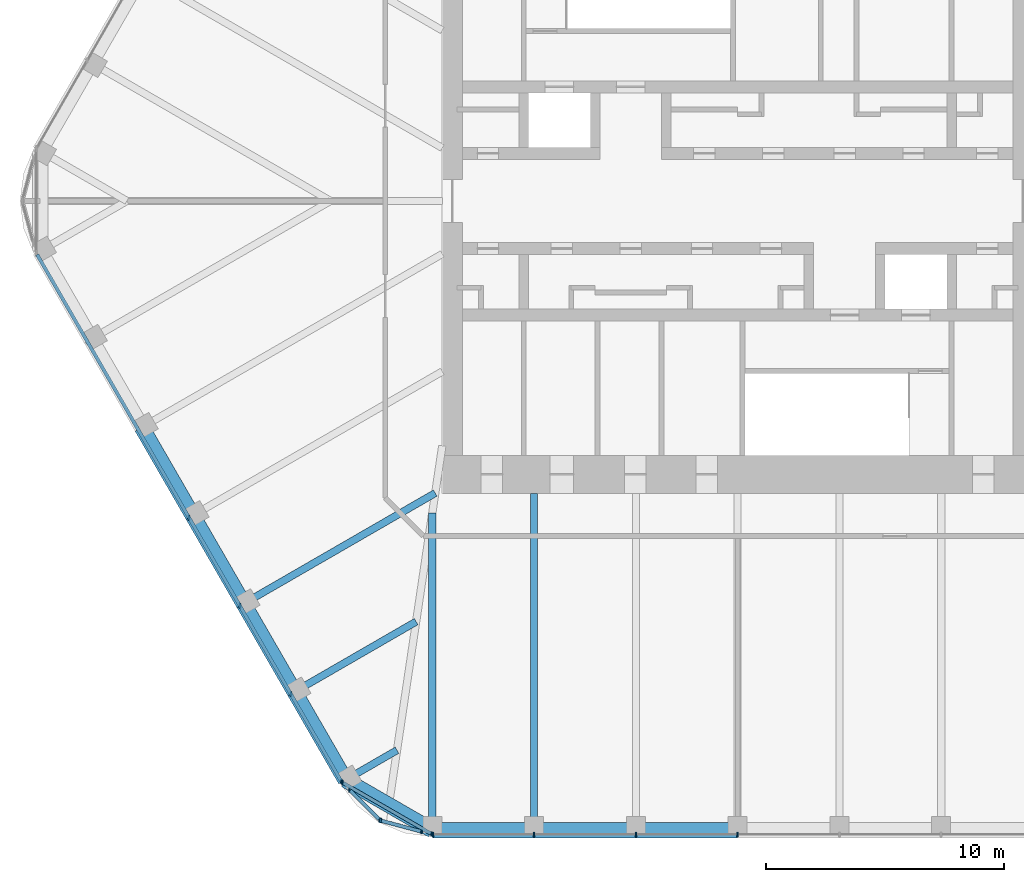
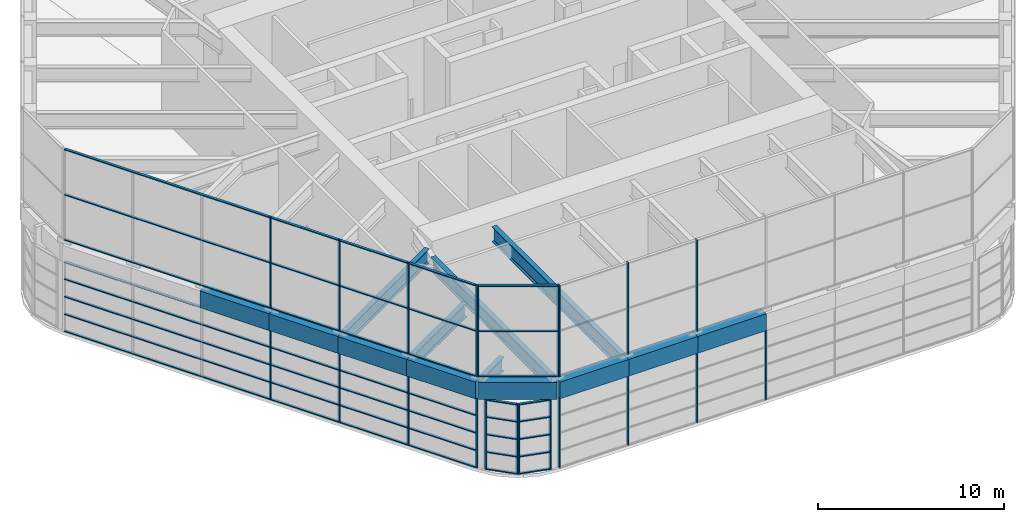
# One storey, part 2 of 17: 42 members, 13 beams, 7 elements without a shape of their own.
"""IFC4 building model written with IfcOpenShell, lengths in metres."""

from ifc_helpers import new_model, si_unit, direction, frame, origin, origin_2d, place, context, subcontext, project, spatial, rectangle, i_section, extrude, material, material_profile, profile_set, type_object, element, aggregate, save


model = new_model("IFC4")

# Units and contexts
model_context = context("Model", 3, precision=1e-05, world=origin(), true_north=direction((0.0, 1.0)))
body_context = subcontext(model_context, "Body", "Model", "MODEL_VIEW")
ifc_project = project(units=[si_unit("LENGTHUNIT", "METRE"), si_unit("AREAUNIT", "SQUARE_METRE"), si_unit("VOLUMEUNIT", "CUBIC_METRE"), si_unit("PLANEANGLEUNIT", "RADIAN"), si_unit("MASSUNIT", "GRAM", prefix="KILO")], contexts=[model_context])

# Site, building, storey
site_placement = place(None, origin())
site = spatial("IfcSite", under=ifc_project, at=site_placement, CompositionType="ELEMENT")
building_placement = place(site_placement, origin())
building = spatial("IfcBuilding", under=site, at=building_placement, Name="Tarfa Lantern Tower", CompositionType="ELEMENT")
storey_placement = place(building_placement, frame((0.0, 0.0, 402.300048828125)))
storey = spatial("IfcBuildingStorey", under=building, at=storey_placement, Name="L91", CompositionType="ELEMENT", Elevation=402.300048828125)

# Curtain wall, members
ifc_material_1 = material(Name="Aluminium framed curtain wall", Category="aluminium")
curtain_wall_type_1 = type_object("IfcCurtainWallType", Name="CW8 LANTERN GLAZING 4600", PredefinedType="USERDEFINED", material=ifc_material_1)
curtain_wall_1_placement = place(storey_placement, origin())
curtain_wall_1 = element("IfcCurtainWall", 1, at=curtain_wall_1_placement, inside=storey, type_object=curtain_wall_type_1, Name="CW8 SWS1 L91", ObjectType="CURTAIN WALL", PredefinedType="USERDEFINED")
ifc_material_2 = material(Name="Aluminium mullion", Category="aluminium")
ifc_material_profile_1 = material_profile(ifc_material_2, rectangle(XDim=0.06494140625, YDim=0.199951171875, at=origin_2d()), Name="AL MULLION 65x200")
ifc_profile_set_1 = profile_set([ifc_material_profile_1], Name="Aluminium mullion")
member_type_1 = type_object("IfcMemberType", Name="CWM1 MULLION 65x200", PredefinedType="MULLION", material=ifc_profile_set_1)
member_1_placement = place(storey_placement, frame((-16.32177734375, -24.78466796875, 0.0), z_axis=(0.0, 0.0, 1.0), x_axis=(1.0, 0.0, 0.0)))
member_1 = element("IfcMember", 2, at=member_1_placement, type_object=member_type_1, Name="CW8 mullion 1", PredefinedType="MULLION", context=body_context, shape_type="SweptSolid", body=[
    extrude(rectangle(XDim=0.06494140625, YDim=0.199951171875, at=origin_2d()), origin(), (0.0, 0.0, 1.0), 4.599853515625),
])
member_2_placement = place(storey_placement, frame((-15.069091796875, -26.03759765625, 0.0), z_axis=(0.0, 0.0, 1.0), x_axis=(1.0, 0.0, 0.0)))
member_2 = element("IfcMember", 3, at=member_2_placement, type_object=member_type_1, Name="CW8 mullion 2", PredefinedType="MULLION", context=body_context, shape_type="SweptSolid", body=[
    extrude(rectangle(XDim=0.06494140625, YDim=0.199951171875, at=origin_2d()), origin(), (0.0, 0.0, 1.0), 4.599853515625),
])

curtain_wall_2_placement = place(storey_placement, origin())
curtain_wall_2 = element("IfcCurtainWall", 4, at=curtain_wall_2_placement, inside=storey, type_object=curtain_wall_type_1, Name="CW8 SWS2 L91", ObjectType="CURTAIN WALL", PredefinedType="USERDEFINED")
member_3_placement = place(storey_placement, frame((-15.0146484375, -26.06884765625, 0.0), z_axis=(0.0, 0.0, 1.0), x_axis=(1.0, 0.0, 0.0)))
member_3 = element("IfcMember", 5, at=member_3_placement, type_object=member_type_1, Name="CW8 mullion 1", PredefinedType="MULLION", context=body_context, shape_type="SweptSolid", body=[
    extrude(rectangle(XDim=0.06494140625, YDim=0.199951171875, at=origin_2d()), origin(), (0.0, 0.0, 1.0), 4.599853515625),
])
member_4_placement = place(storey_placement, frame((-13.30322265625, -26.527587890625, 0.0), z_axis=(0.0, 0.0, 1.0), x_axis=(1.0, 0.0, 0.0)))
member_4 = element("IfcMember", 6, at=member_4_placement, type_object=member_type_1, Name="CW8 mullion 2", PredefinedType="MULLION", context=body_context, shape_type="SweptSolid", body=[
    extrude(rectangle(XDim=0.06494140625, YDim=0.199951171875, at=origin_2d()), origin(), (0.0, 0.0, 1.0), 4.599853515625),
])

curtain_wall_3_placement = place(storey_placement, origin())
curtain_wall_3 = element("IfcCurtainWall", 7, at=curtain_wall_3_placement, inside=storey, type_object=curtain_wall_type_1, Name="CW8 SW L91", ObjectType="CURTAIN WALL", PredefinedType="USERDEFINED")
member_5_placement = place(storey_placement, frame((-23.07958984375, -13.324951171875, 0.0), z_axis=(0.0, 0.0, 1.0), x_axis=(1.0, 0.0, 0.0)))
member_5 = element("IfcMember", 8, at=member_5_placement, type_object=member_type_1, Name="CW8 mullion 4", PredefinedType="MULLION", context=body_context, shape_type="SweptSolid", body=[
    extrude(rectangle(XDim=0.06494140625, YDim=0.199951171875, at=origin_2d()), origin(), (0.0, 0.0, 1.0), 4.599853515625),
])
member_6_placement = place(storey_placement, frame((-20.9384765625, -17.033447265625, 0.0), z_axis=(0.0, 0.0, 1.0), x_axis=(1.0, 0.0, 0.0)))
member_6 = element("IfcMember", 9, at=member_6_placement, type_object=member_type_1, Name="CW8 mullion 5", PredefinedType="MULLION", context=body_context, shape_type="SweptSolid", body=[
    extrude(rectangle(XDim=0.06494140625, YDim=0.199951171875, at=origin_2d()), origin(), (0.0, 0.0, 1.0), 4.599853515625),
])
member_7_placement = place(storey_placement, frame((-18.797607421875, -20.74169921875, 0.0), z_axis=(0.0, 0.0, 1.0), x_axis=(1.0, 0.0, 0.0)))
member_7 = element("IfcMember", 10, at=member_7_placement, type_object=member_type_1, Name="CW8 mullion 6", PredefinedType="MULLION", context=body_context, shape_type="SweptSolid", body=[
    extrude(rectangle(XDim=0.06494140625, YDim=0.199951171875, at=origin_2d()), origin(), (0.0, 0.0, 1.0), 4.599853515625),
])
member_8_placement = place(storey_placement, frame((-16.6728515625, -24.421875, 0.0), z_axis=(0.0, 0.0, 1.0), x_axis=(1.0, 0.0, 0.0)))
member_8 = element("IfcMember", 11, at=member_8_placement, type_object=member_type_1, Name="CW8 mullion 7", PredefinedType="MULLION", context=body_context, shape_type="SweptSolid", body=[
    extrude(rectangle(XDim=0.06494140625, YDim=0.199951171875, at=origin_2d()), origin(), (0.0, 0.0, 1.0), 4.599853515625),
])

curtain_wall_4_placement = place(storey_placement, origin())
curtain_wall_4 = element("IfcCurtainWall", 12, at=curtain_wall_4_placement, inside=storey, type_object=curtain_wall_type_1, Name="CW8 S L91", ObjectType="CURTAIN WALL", PredefinedType="USERDEFINED")
member_9_placement = place(storey_placement, frame((-12.8134765625, -26.64990234375, 0.0), z_axis=(0.0, 0.0, 1.0), x_axis=(1.0, 0.0, 0.0)))
member_9 = element("IfcMember", 13, at=member_9_placement, type_object=member_type_1, Name="CW8 mullion 1", PredefinedType="MULLION", context=body_context, shape_type="SweptSolid", body=[
    extrude(rectangle(XDim=0.06494140625, YDim=0.199951171875, at=origin_2d()), origin(), (0.0, 0.0, 1.0), 4.599853515625),
])
member_10_placement = place(storey_placement, frame((-8.56396484375, -26.64990234375, 0.0), z_axis=(0.0, 0.0, 1.0), x_axis=(1.0, 0.0, 0.0)))
member_10 = element("IfcMember", 14, at=member_10_placement, type_object=member_type_1, Name="CW8 mullion 2", PredefinedType="MULLION", context=body_context, shape_type="SweptSolid", body=[
    extrude(rectangle(XDim=0.06494140625, YDim=0.199951171875, at=origin_2d()), origin(), (0.0, 0.0, 1.0), 4.599853515625),
])
member_11_placement = place(storey_placement, frame((-4.281982421875, -26.64990234375, 0.0), z_axis=(0.0, 0.0, 1.0), x_axis=(1.0, 0.0, 0.0)))
member_11 = element("IfcMember", 15, at=member_11_placement, type_object=member_type_1, Name="CW8 mullion 3", PredefinedType="MULLION", context=body_context, shape_type="SweptSolid", body=[
    extrude(rectangle(XDim=0.06494140625, YDim=0.199951171875, at=origin_2d()), origin(), (0.0, 0.0, 1.0), 4.599853515625),
])
member_12_placement = place(storey_placement, frame((0.0, -26.64990234375, 0.0), z_axis=(0.0, 0.0, 1.0), x_axis=(1.0, 0.0, 0.0)))
member_12 = element("IfcMember", 16, at=member_12_placement, type_object=member_type_1, Name="CW8 mullion 4", PredefinedType="MULLION", context=body_context, shape_type="SweptSolid", body=[
    extrude(rectangle(XDim=0.06494140625, YDim=0.199951171875, at=origin_2d()), origin(), (0.0, 0.0, 1.0), 4.599853515625),
])
aggregate(curtain_wall_4, [member_9, member_10, member_11, member_12])

curtain_wall_type_2 = type_object("IfcCurtainWallType", Name="CW9 CROWN SCREEN GLAZING 6000", PredefinedType="USERDEFINED", material=ifc_material_1)
curtain_wall_5_placement = place(storey_placement, origin())
curtain_wall_5 = element("IfcCurtainWall", 17, at=curtain_wall_5_placement, inside=storey, type_object=curtain_wall_type_2, Name="CW9 SW L91", ObjectType="CURTAIN WALL", PredefinedType="USERDEFINED")
member_13_placement = place(storey_placement, frame((-23.07958984375, -13.324951171875, 6.0), z_axis=(0.0, 0.0, 1.0), x_axis=(1.0, 0.0, 0.0)))
member_13 = element("IfcMember", 18, at=member_13_placement, type_object=member_type_1, Name="CW9 mullion 4", PredefinedType="MULLION", context=body_context, shape_type="SweptSolid", body=[
    extrude(rectangle(XDim=0.06494140625, YDim=0.199951171875, at=origin_2d()), origin(), (0.0, 0.0, 1.0), 6.0),
])
member_14_placement = place(storey_placement, frame((-20.9384765625, -17.033447265625, 6.0), z_axis=(0.0, 0.0, 1.0), x_axis=(1.0, 0.0, 0.0)))
member_14 = element("IfcMember", 19, at=member_14_placement, type_object=member_type_1, Name="CW9 mullion 5", PredefinedType="MULLION", context=body_context, shape_type="SweptSolid", body=[
    extrude(rectangle(XDim=0.06494140625, YDim=0.199951171875, at=origin_2d()), origin(), (0.0, 0.0, 1.0), 6.0),
])
member_15_placement = place(storey_placement, frame((-18.797607421875, -20.74169921875, 6.0), z_axis=(0.0, 0.0, 1.0), x_axis=(1.0, 0.0, 0.0)))
member_15 = element("IfcMember", 20, at=member_15_placement, type_object=member_type_1, Name="CW9 mullion 6", PredefinedType="MULLION", context=body_context, shape_type="SweptSolid", body=[
    extrude(rectangle(XDim=0.06494140625, YDim=0.199951171875, at=origin_2d()), origin(), (0.0, 0.0, 1.0), 6.0),
])
member_16_placement = place(storey_placement, frame((-16.6728515625, -24.421875, 6.0), z_axis=(0.0, 0.0, 1.0), x_axis=(1.0, 0.0, 0.0)))
member_16 = element("IfcMember", 21, at=member_16_placement, type_object=member_type_1, Name="CW9 mullion 7", PredefinedType="MULLION", context=body_context, shape_type="SweptSolid", body=[
    extrude(rectangle(XDim=0.06494140625, YDim=0.199951171875, at=origin_2d()), origin(), (0.0, 0.0, 1.0), 6.0),
])

curtain_wall_6_placement = place(storey_placement, origin())
curtain_wall_6 = element("IfcCurtainWall", 22, at=curtain_wall_6_placement, inside=storey, type_object=curtain_wall_type_2, Name="CW9 S L91", ObjectType="CURTAIN WALL", PredefinedType="USERDEFINED")
member_17_placement = place(storey_placement, frame((-12.8134765625, -26.64990234375, 6.0), z_axis=(0.0, 0.0, 1.0), x_axis=(1.0, 0.0, 0.0)))
member_17 = element("IfcMember", 23, at=member_17_placement, type_object=member_type_1, Name="CW9 mullion 1", PredefinedType="MULLION", context=body_context, shape_type="SweptSolid", body=[
    extrude(rectangle(XDim=0.06494140625, YDim=0.199951171875, at=origin_2d()), origin(), (0.0, 0.0, 1.0), 6.0),
])
member_18_placement = place(storey_placement, frame((-8.56396484375, -26.64990234375, 6.0), z_axis=(0.0, 0.0, 1.0), x_axis=(1.0, 0.0, 0.0)))
member_18 = element("IfcMember", 24, at=member_18_placement, type_object=member_type_1, Name="CW9 mullion 2", PredefinedType="MULLION", context=body_context, shape_type="SweptSolid", body=[
    extrude(rectangle(XDim=0.06494140625, YDim=0.199951171875, at=origin_2d()), origin(), (0.0, 0.0, 1.0), 6.0),
])
member_19_placement = place(storey_placement, frame((-4.281982421875, -26.64990234375, 6.0), z_axis=(0.0, 0.0, 1.0), x_axis=(1.0, 0.0, 0.0)))
member_19 = element("IfcMember", 25, at=member_19_placement, type_object=member_type_1, Name="CW9 mullion 3", PredefinedType="MULLION", context=body_context, shape_type="SweptSolid", body=[
    extrude(rectangle(XDim=0.06494140625, YDim=0.199951171875, at=origin_2d()), origin(), (0.0, 0.0, 1.0), 6.0),
])
aggregate(curtain_wall_6, [member_17, member_18, member_19])

curtain_wall_7_placement = place(storey_placement, origin())
curtain_wall_7 = element("IfcCurtainWall", 26, at=curtain_wall_7_placement, inside=storey, type_object=curtain_wall_type_2, Name="CW9 SWS L91", ObjectType="CURTAIN WALL", PredefinedType="USERDEFINED")
member_20_placement = place(storey_placement, frame((-16.62841796875, -24.46630859375, 6.0), z_axis=(0.0, 0.0, 1.0), x_axis=(1.0, 0.0, 0.0)))
member_20 = element("IfcMember", 27, at=member_20_placement, type_object=member_type_1, Name="CW9 mullion 1", PredefinedType="MULLION", context=body_context, shape_type="SweptSolid", body=[
    extrude(rectangle(XDim=0.06494140625, YDim=0.199951171875, at=origin_2d()), origin(), (0.0, 0.0, 1.0), 6.0),
])
member_21_placement = place(storey_placement, frame((-12.874267578125, -26.6337890625, 6.0), z_axis=(0.0, 0.0, 1.0), x_axis=(1.0, 0.0, 0.0)))
member_21 = element("IfcMember", 28, at=member_21_placement, type_object=member_type_1, Name="CW9 mullion 2", PredefinedType="MULLION", context=body_context, shape_type="SweptSolid", body=[
    extrude(rectangle(XDim=0.06494140625, YDim=0.199951171875, at=origin_2d()), origin(), (0.0, 0.0, 1.0), 6.0),
])

# Member
ifc_material_3 = material(Name="Aluminium transom", Category="aluminium")
ifc_material_profile_2 = material_profile(ifc_material_3, rectangle(XDim=0.14990234375, YDim=0.06494140625, at=origin_2d()), Name="AL TRANSOM 150x65")
ifc_profile_set_2 = profile_set([ifc_material_profile_2], Name="Aluminium transom")
member_type_2 = type_object("IfcMemberType", Name="CWT1 TRANSOM 150x65", PredefinedType="USERDEFINED", material=ifc_profile_set_2)
member_22_placement = place(storey_placement, frame((-16.298828125, -24.8076171875, 0.032470703125), z_axis=(0.707035258729, -0.70717829641, 0.0), x_axis=(0.70717829641, 0.707035258729, 0.0)))
member_22 = element("IfcMember", 29, at=member_22_placement, type_object=member_type_2, Name="CW8 transom 1.1", ObjectType="TRANSOM", PredefinedType="USERDEFINED", context=body_context, shape_type="SweptSolid", body=[
    extrude(rectangle(XDim=0.14990234375, YDim=0.06494140625, at=origin_2d()), origin(), (0.0, 0.0, 1.0), 1.706787109375),
])

member_23_placement = place(storey_placement, frame((-16.298828125, -24.8076171875, 1.14990234375), z_axis=(0.707035258729, -0.70717829641, 0.0), x_axis=(0.70717829641, 0.707035258729, 0.0)))
member_23 = element("IfcMember", 30, at=member_23_placement, type_object=member_type_2, Name="CW8 transom 1.2", ObjectType="TRANSOM", PredefinedType="USERDEFINED", context=body_context, shape_type="SweptSolid", body=[
    extrude(rectangle(XDim=0.14990234375, YDim=0.06494140625, at=origin_2d()), origin(), (0.0, 0.0, 1.0), 1.706787109375),
])

member_24_placement = place(storey_placement, frame((-16.298828125, -24.8076171875, 2.300048828125), z_axis=(0.707035258729, -0.70717829641, 0.0), x_axis=(0.70717829641, 0.707035258729, 0.0)))
member_24 = element("IfcMember", 31, at=member_24_placement, type_object=member_type_2, Name="CW8 transom 1.3", ObjectType="TRANSOM", PredefinedType="USERDEFINED", context=body_context, shape_type="SweptSolid", body=[
    extrude(rectangle(XDim=0.14990234375, YDim=0.06494140625, at=origin_2d()), origin(), (0.0, 0.0, 1.0), 1.706787109375),
])

member_25_placement = place(storey_placement, frame((-16.298828125, -24.8076171875, 3.449951171875), z_axis=(0.707035258729, -0.70717829641, 0.0), x_axis=(0.70717829641, 0.707035258729, 0.0)))
member_25 = element("IfcMember", 32, at=member_25_placement, type_object=member_type_2, Name="CW8 transom 1.4", ObjectType="TRANSOM", PredefinedType="USERDEFINED", context=body_context, shape_type="SweptSolid", body=[
    extrude(rectangle(XDim=0.14990234375, YDim=0.06494140625, at=origin_2d()), origin(), (0.0, 0.0, 1.0), 1.706787109375),
])

member_26_placement = place(storey_placement, frame((-16.298828125, -24.8076171875, 4.5673828125), z_axis=(0.707035258729, -0.70717829641, 0.0), x_axis=(0.70717829641, 0.707035258729, 0.0)))
member_26 = element("IfcMember", 33, at=member_26_placement, type_object=member_type_2, Name="CW8 transom 1.5", ObjectType="TRANSOM", PredefinedType="USERDEFINED", context=body_context, shape_type="SweptSolid", body=[
    extrude(rectangle(XDim=0.14990234375, YDim=0.06494140625, at=origin_2d()), origin(), (0.0, 0.0, 1.0), 1.706787109375),
])

aggregate(curtain_wall_1, [member_1, member_2, member_22, member_23, member_24, member_25, member_26])

member_27_placement = place(storey_placement, frame((-14.983154296875, -26.077392578125, 0.032470703125), z_axis=(0.965932726646, -0.258793291247, 0.0), x_axis=(0.258793291247, 0.965932726646, 0.0)))
member_27 = element("IfcMember", 34, at=member_27_placement, type_object=member_type_2, Name="CW8 transom 1.1", ObjectType="TRANSOM", PredefinedType="USERDEFINED", context=body_context, shape_type="SweptSolid", body=[
    extrude(rectangle(XDim=0.14990234375, YDim=0.06494140625, at=origin_2d()), origin(), (0.0, 0.0, 1.0), 1.70654296875),
])

member_28_placement = place(storey_placement, frame((-14.983154296875, -26.077392578125, 1.14990234375), z_axis=(0.965932726646, -0.258793291247, 0.0), x_axis=(0.258793291247, 0.965932726646, 0.0)))
member_28 = element("IfcMember", 35, at=member_28_placement, type_object=member_type_2, Name="CW8 transom 1.2", ObjectType="TRANSOM", PredefinedType="USERDEFINED", context=body_context, shape_type="SweptSolid", body=[
    extrude(rectangle(XDim=0.14990234375, YDim=0.06494140625, at=origin_2d()), origin(), (0.0, 0.0, 1.0), 1.70654296875),
])

member_29_placement = place(storey_placement, frame((-14.983154296875, -26.077392578125, 2.300048828125), z_axis=(0.965932726646, -0.258793291247, 0.0), x_axis=(0.258793291247, 0.965932726646, 0.0)))
member_29 = element("IfcMember", 36, at=member_29_placement, type_object=member_type_2, Name="CW8 transom 1.3", ObjectType="TRANSOM", PredefinedType="USERDEFINED", context=body_context, shape_type="SweptSolid", body=[
    extrude(rectangle(XDim=0.14990234375, YDim=0.06494140625, at=origin_2d()), origin(), (0.0, 0.0, 1.0), 1.70654296875),
])

member_30_placement = place(storey_placement, frame((-14.983154296875, -26.077392578125, 3.449951171875), z_axis=(0.965932726646, -0.258793291247, 0.0), x_axis=(0.258793291247, 0.965932726646, 0.0)))
member_30 = element("IfcMember", 37, at=member_30_placement, type_object=member_type_2, Name="CW8 transom 1.4", ObjectType="TRANSOM", PredefinedType="USERDEFINED", context=body_context, shape_type="SweptSolid", body=[
    extrude(rectangle(XDim=0.14990234375, YDim=0.06494140625, at=origin_2d()), origin(), (0.0, 0.0, 1.0), 1.70654296875),
])

member_31_placement = place(storey_placement, frame((-14.983154296875, -26.077392578125, 4.5673828125), z_axis=(0.965932726646, -0.258793291247, 0.0), x_axis=(0.258793291247, 0.965932726646, 0.0)))
member_31 = element("IfcMember", 38, at=member_31_placement, type_object=member_type_2, Name="CW8 transom 1.5", ObjectType="TRANSOM", PredefinedType="USERDEFINED", context=body_context, shape_type="SweptSolid", body=[
    extrude(rectangle(XDim=0.14990234375, YDim=0.06494140625, at=origin_2d()), origin(), (0.0, 0.0, 1.0), 1.70654296875),
])

aggregate(curtain_wall_2, [member_3, member_4, member_27, member_28, member_29, member_30, member_31])

member_32_placement = place(storey_placement, frame((-29.47021484375, -2.25634765625, 0.032470703125), z_axis=(0.500005475065, -0.866022242731, 0.0), x_axis=(0.866022242731, 0.500005475065, 0.0)))
member_32 = element("IfcMember", 39, at=member_32_placement, type_object=member_type_2, Name="CW8 transom 1.1", ObjectType="TRANSOM", PredefinedType="USERDEFINED", context=body_context, shape_type="SweptSolid", body=[
    extrude(rectangle(XDim=0.14990234375, YDim=0.06494140625, at=origin_2d()), origin(), (0.0, 0.0, 1.0), 25.562255859375),
])

member_33_placement = place(storey_placement, frame((-29.47021484375, -2.25634765625, 1.14990234375), z_axis=(0.500005475065, -0.866022242731, 0.0), x_axis=(0.866022242731, 0.500005475065, 0.0)))
member_33 = element("IfcMember", 40, at=member_33_placement, type_object=member_type_2, Name="CW8 transom 1.2", ObjectType="TRANSOM", PredefinedType="USERDEFINED", context=body_context, shape_type="SweptSolid", body=[
    extrude(rectangle(XDim=0.14990234375, YDim=0.06494140625, at=origin_2d()), origin(), (0.0, 0.0, 1.0), 25.562255859375),
])

member_34_placement = place(storey_placement, frame((-29.47021484375, -2.25634765625, 2.300048828125), z_axis=(0.500005475065, -0.866022242731, 0.0), x_axis=(0.866022242731, 0.500005475065, 0.0)))
member_34 = element("IfcMember", 41, at=member_34_placement, type_object=member_type_2, Name="CW8 transom 1.3", ObjectType="TRANSOM", PredefinedType="USERDEFINED", context=body_context, shape_type="SweptSolid", body=[
    extrude(rectangle(XDim=0.14990234375, YDim=0.06494140625, at=origin_2d()), origin(), (0.0, 0.0, 1.0), 25.562255859375),
])

member_35_placement = place(storey_placement, frame((-29.47021484375, -2.25634765625, 3.449951171875), z_axis=(0.500005475065, -0.866022242731, 0.0), x_axis=(0.866022242731, 0.500005475065, 0.0)))
member_35 = element("IfcMember", 42, at=member_35_placement, type_object=member_type_2, Name="CW8 transom 1.4", ObjectType="TRANSOM", PredefinedType="USERDEFINED", context=body_context, shape_type="SweptSolid", body=[
    extrude(rectangle(XDim=0.14990234375, YDim=0.06494140625, at=origin_2d()), origin(), (0.0, 0.0, 1.0), 25.562255859375),
])

member_36_placement = place(storey_placement, frame((-29.47021484375, -2.25634765625, 4.5673828125), z_axis=(0.500005475065, -0.866022242731, 0.0), x_axis=(0.866022242731, 0.500005475065, 0.0)))
member_36 = element("IfcMember", 43, at=member_36_placement, type_object=member_type_2, Name="CW8 transom 1.5", ObjectType="TRANSOM", PredefinedType="USERDEFINED", context=body_context, shape_type="SweptSolid", body=[
    extrude(rectangle(XDim=0.14990234375, YDim=0.06494140625, at=origin_2d()), origin(), (0.0, 0.0, 1.0), 25.562255859375),
])

aggregate(curtain_wall_3, [member_5, member_6, member_7, member_8, member_32, member_33, member_34, member_35, member_36])

member_37_placement = place(storey_placement, frame((-29.47021484375, -2.25634765625, 6.032470703125), z_axis=(0.500005475065, -0.866022242731, 0.0), x_axis=(0.866022242731, 0.500005475065, 0.0)))
member_37 = element("IfcMember", 44, at=member_37_placement, type_object=member_type_2, Name="CW9 transom 1.1", ObjectType="TRANSOM", PredefinedType="USERDEFINED", context=body_context, shape_type="SweptSolid", body=[
    extrude(rectangle(XDim=0.14990234375, YDim=0.06494140625, at=origin_2d()), origin(), (0.0, 0.0, 1.0), 25.562255859375),
])

member_38_placement = place(storey_placement, frame((-29.47021484375, -2.25634765625, 9.0), z_axis=(0.500005475065, -0.866022242731, 0.0), x_axis=(0.866022242731, 0.500005475065, 0.0)))
member_38 = element("IfcMember", 45, at=member_38_placement, type_object=member_type_2, Name="CW9 transom 1.2", ObjectType="TRANSOM", PredefinedType="USERDEFINED", context=body_context, shape_type="SweptSolid", body=[
    extrude(rectangle(XDim=0.14990234375, YDim=0.06494140625, at=origin_2d()), origin(), (0.0, 0.0, 1.0), 25.562255859375),
])

member_39_placement = place(storey_placement, frame((-29.47021484375, -2.25634765625, 11.967529296875), z_axis=(0.500005475065, -0.866022242731, 0.0), x_axis=(0.866022242731, 0.500005475065, 0.0)))
member_39 = element("IfcMember", 46, at=member_39_placement, type_object=member_type_2, Name="CW9 transom 1.3", ObjectType="TRANSOM", PredefinedType="USERDEFINED", context=body_context, shape_type="SweptSolid", body=[
    extrude(rectangle(XDim=0.14990234375, YDim=0.06494140625, at=origin_2d()), origin(), (0.0, 0.0, 1.0), 25.562255859375),
])

aggregate(curtain_wall_5, [member_13, member_14, member_15, member_16, member_37, member_38, member_39])

member_40_placement = place(storey_placement, frame((-16.600341796875, -24.482421875, 6.032470703125), z_axis=(0.866028486751, -0.499994660107, 0.0), x_axis=(0.499994660107, 0.866028486751, 0.0)))
member_40 = element("IfcMember", 47, at=member_40_placement, type_object=member_type_2, Name="CW9 transom 1.1", ObjectType="TRANSOM", PredefinedType="USERDEFINED", context=body_context, shape_type="SweptSolid", body=[
    extrude(rectangle(XDim=0.14990234375, YDim=0.06494140625, at=origin_2d()), origin(), (0.0, 0.0, 1.0), 4.27001953125),
])

member_41_placement = place(storey_placement, frame((-16.600341796875, -24.482421875, 9.0), z_axis=(0.866028486751, -0.499994660107, 0.0), x_axis=(0.499994660107, 0.866028486751, 0.0)))
member_41 = element("IfcMember", 48, at=member_41_placement, type_object=member_type_2, Name="CW9 transom 1.2", ObjectType="TRANSOM", PredefinedType="USERDEFINED", context=body_context, shape_type="SweptSolid", body=[
    extrude(rectangle(XDim=0.14990234375, YDim=0.06494140625, at=origin_2d()), origin(), (0.0, 0.0, 1.0), 4.27001953125),
])

member_42_placement = place(storey_placement, frame((-16.600341796875, -24.482421875, 11.967529296875), z_axis=(0.866028486751, -0.499994660107, 0.0), x_axis=(0.499994660107, 0.866028486751, 0.0)))
member_42 = element("IfcMember", 49, at=member_42_placement, type_object=member_type_2, Name="CW9 transom 1.3", ObjectType="TRANSOM", PredefinedType="USERDEFINED", context=body_context, shape_type="SweptSolid", body=[
    extrude(rectangle(XDim=0.14990234375, YDim=0.06494140625, at=origin_2d()), origin(), (0.0, 0.0, 1.0), 4.27001953125),
])

aggregate(curtain_wall_7, [member_20, member_21, member_40, member_41, member_42])

# Beams
ifc_material_4 = material(Name="Concrete C80/95", Category="concrete")
ifc_material_profile_3 = material_profile(ifc_material_4, rectangle(XDim=0.64990234375, YDim=1.10009765625, at=origin_2d()), Name="RC 650x1100")
ifc_profile_set_3 = profile_set([ifc_material_profile_3], Name="Concrete C80/95")
beam_type_1 = type_object("IfcBeamType", Name="EB4 RC 650x1100", PredefinedType="SPANDREL", material=ifc_profile_set_3)
beam_1_placement = place(storey_placement, frame((-25.064697265625, -9.526611328125, 5.14990234375), z_axis=(0.500002112793, -0.866024183959, 0.0), x_axis=(0.866024183959, 0.500002112793, 0.0)))
element("IfcBeam", 50, at=beam_1_placement, inside=storey, type_object=beam_type_1, Name="Edge beam SW2", PredefinedType="SPANDREL", context=body_context, shape_type="SweptSolid", body=[
    extrude(rectangle(XDim=0.64990234375, YDim=1.10009765625, at=origin_2d()), origin(), (0.0, 0.0, 1.0), 4.2822265625),
])
for number, where, z_axis, x_axis, name in (
    (51, (-22.923583984375, -13.235107421875, 5.14990234375), (0.499984039138, -0.866034618596, 0.0), (0.866034618596, 0.499984039138, 0.0), "Edge beam SW3"),
    (52, (-20.78271484375, -16.943359375, 5.14990234375), (0.500026801138, -0.866009929587, 0.0), (0.866009929587, 0.500026801138, 0.0), "Edge beam SW4"),
    (53, (-18.6416015625, -20.651611328125, 5.14990234375), (0.499959351497, -0.866048870937, 0.0), (0.866048870937, 0.499959351497, 0.0), "Edge beam SW5"),
):
    element("IfcBeam", number, at=place(storey_placement, frame(where, z_axis=z_axis, x_axis=x_axis)), inside=storey, type_object=beam_type_1, Name=name, PredefinedType="SPANDREL", context=body_context, shape_type="SweptSolid", body=[
        extrude(rectangle(XDim=0.64990234375, YDim=1.10009765625, at=origin_2d()), origin(), (0.0, 0.0, 1.0), 4.281982421875),
    ])
beam_2_placement = place(storey_placement, frame((-16.500732421875, -24.360107421875, 5.14990234375), z_axis=(0.866048788483, -0.499959494327, 0.0), x_axis=(0.499959494327, 0.866048788483, 0.0)))
element("IfcBeam", 54, at=beam_2_placement, inside=storey, type_object=beam_type_1, Name="Edge beam SW6", PredefinedType="SPANDREL", context=body_context, shape_type="SweptSolid", body=[
    extrude(rectangle(XDim=0.64990234375, YDim=1.10009765625, at=origin_2d()), origin(), (0.0, 0.0, 1.0), 4.219970703125),
])
for number, where, z_axis, x_axis, name in (
    (55, (-12.845947265625, -26.469970703125, 5.14990234375), (1.0, 0.0, 0.0), (0.0, 1.0, 0.0), "Edge beam S0"),
    (56, (-8.56396484375, -26.469970703125, 5.14990234375), (1.0, 0.0, 0.0), (0.0, 1.0, 0.0), "Edge beam S1"),
    (57, (-4.281982421875, -26.469970703125, 5.14990234375), (1.0, 0.0, 0.0), (0.0, 1.0, 0.0), "Edge beam S2"),
):
    element("IfcBeam", number, at=place(storey_placement, frame(where, z_axis=z_axis, x_axis=x_axis)), inside=storey, type_object=beam_type_1, Name=name, PredefinedType="SPANDREL", context=body_context, shape_type="SweptSolid", body=[
        extrude(rectangle(XDim=0.64990234375, YDim=1.10009765625, at=origin_2d()), origin(), (0.0, 0.0, 1.0), 4.281982421875),
    ])
ifc_material_5 = material(Name="Steel S460M", Category="steel")
ifc_material_profile_4 = material_profile(ifc_material_5, i_section(OverallWidth=0.302001953125, OverallDepth=1.008056640625, WebThickness=0.02099609375, FlangeThickness=0.0400390625, FilletRadius=0.030029296875, at=origin_2d()), Name="UB1016x305x349")
ifc_profile_set_4 = profile_set([ifc_material_profile_4], Name="Steel S460M")
beam_type_2 = type_object("IfcBeamType", Name="UB1016x305x349", PredefinedType="BEAM", material=ifc_profile_set_4)
beam_3_placement = place(storey_placement, frame((-8.56396484375, -26.469970703125, 5.19580078125), z_axis=(0.0, 1.0, 0.0), x_axis=(-1.0, 0.0, 0.0)))
element("IfcBeam", 58, at=beam_3_placement, inside=storey, type_object=beam_type_2, Name="Floor beam S1", PredefinedType="BEAM", context=body_context, shape_type="SweptSolid", body=[
    extrude(i_section(OverallWidth=0.302001953125, OverallDepth=1.008056640625, WebThickness=0.02099609375, FlangeThickness=0.0400390625, FilletRadius=0.030029296875, at=origin_2d()), origin(), (0.0, 0.0, 1.0), 14.169921875),
])
ifc_material_profile_5 = material_profile(ifc_material_5, i_section(OverallWidth=0.305419921875, OverallDepth=0.91845703125, WebThickness=0.017333984375, FlangeThickness=0.02783203125, FilletRadius=0.01904296875, at=origin_2d()), Name="UB914x305x253")
ifc_profile_set_5 = profile_set([ifc_material_profile_5], Name="Steel S460M")
beam_type_3 = type_object("IfcBeamType", Name="UB914x305x253", PredefinedType="BEAM", material=ifc_profile_set_5)
beam_4_placement = place(storey_placement, frame((-20.78271484375, -16.943359375, 5.24072265625), z_axis=(0.866021806508, 0.500006230613, 0.0), x_axis=(-0.500006230613, 0.866021806508, 0.0)))
element("IfcBeam", 59, at=beam_4_placement, inside=storey, type_object=beam_type_3, Name="Floor beam SW4", PredefinedType="BEAM", context=body_context, shape_type="SweptSolid", body=[
    extrude(i_section(OverallWidth=0.305419921875, OverallDepth=0.91845703125, WebThickness=0.017333984375, FlangeThickness=0.02783203125, FilletRadius=0.01904296875, at=origin_2d()), origin(), (0.0, 0.0, 1.0), 9.30908203125),
])
beam_5_placement = place(storey_placement, frame((-18.6416015625, -20.651611328125, 5.24072265625), z_axis=(0.866024549157, 0.500001480256, 0.0), x_axis=(-0.500001480256, 0.866024549157, 0.0)))
element("IfcBeam", 60, at=beam_5_placement, inside=storey, type_object=beam_type_3, Name="Floor beam SW5", PredefinedType="BEAM", context=body_context, shape_type="SweptSolid", body=[
    extrude(i_section(OverallWidth=0.305419921875, OverallDepth=0.91845703125, WebThickness=0.017333984375, FlangeThickness=0.02783203125, FilletRadius=0.01904296875, at=origin_2d()), origin(), (0.0, 0.0, 1.0), 5.90771484375),
])
beam_6_placement = place(storey_placement, frame((-16.500732421875, -24.360107421875, 5.24072265625), z_axis=(0.865992557167, 0.500056887695, 0.0), x_axis=(-0.500056887695, 0.865992557167, 0.0)))
element("IfcBeam", 61, at=beam_6_placement, inside=storey, type_object=beam_type_3, Name="Floor beam SW6", PredefinedType="BEAM", context=body_context, shape_type="SweptSolid", body=[
    extrude(i_section(OverallWidth=0.305419921875, OverallDepth=0.91845703125, WebThickness=0.017333984375, FlangeThickness=0.02783203125, FilletRadius=0.01904296875, at=origin_2d()), origin(), (0.0, 0.0, 1.0), 2.506591796875),
])
beam_7_placement = place(storey_placement, frame((-12.845947265625, -26.469970703125, 5.24072265625), z_axis=(0.0, 1.0, 0.0), x_axis=(-1.0, 0.0, 0.0)))
element("IfcBeam", 62, at=beam_7_placement, inside=storey, type_object=beam_type_3, Name="Floor beam S0", PredefinedType="BEAM", context=body_context, shape_type="SweptSolid", body=[
    extrude(i_section(OverallWidth=0.305419921875, OverallDepth=0.91845703125, WebThickness=0.017333984375, FlangeThickness=0.02783203125, FilletRadius=0.01904296875, at=origin_2d()), origin(), (0.0, 0.0, 1.0), 13.33935546875),
])

save(model, "model.ifc")
